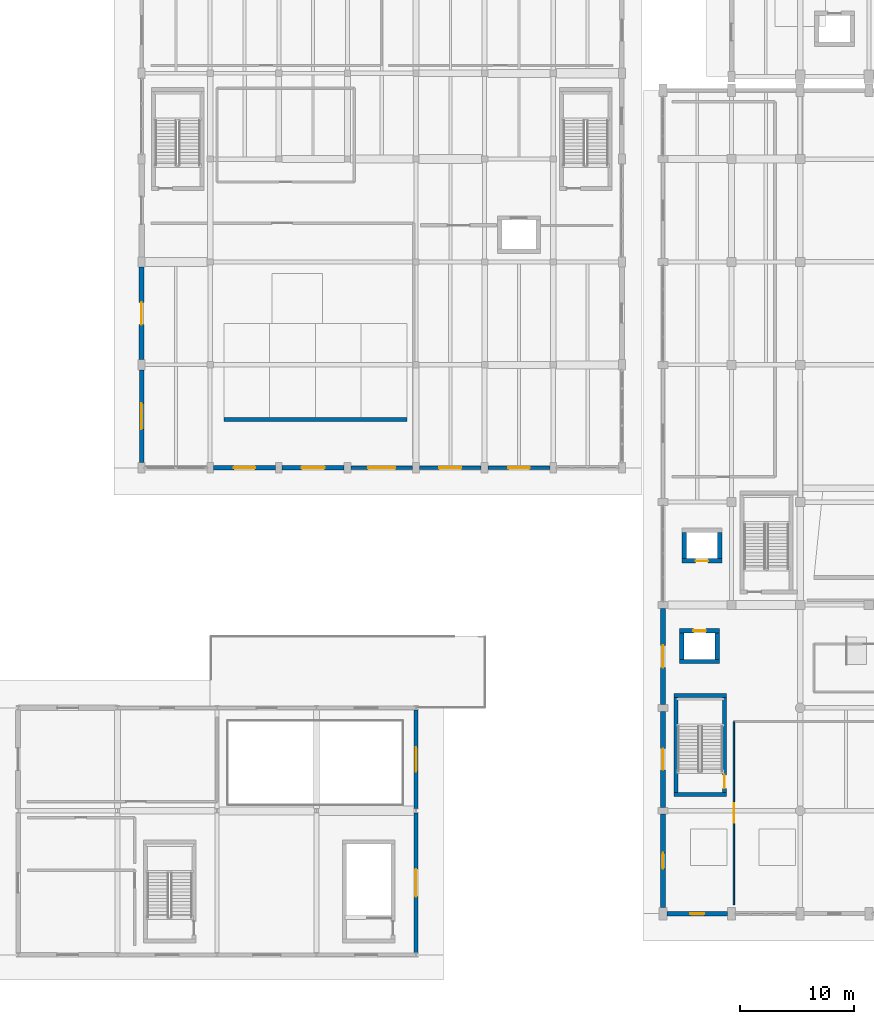
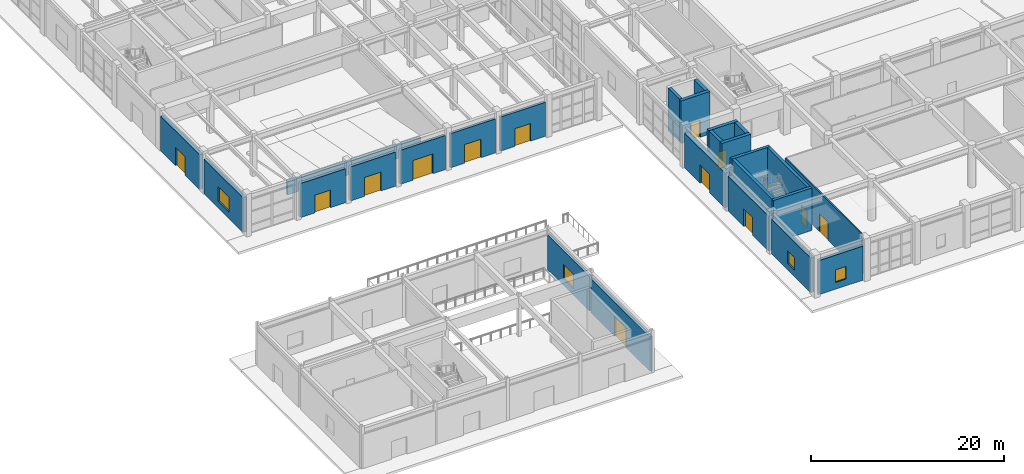
# One storey, part 69 of 91: 26 walls, 13 doors, 4 windows, 17 openings.
"""IFC4 building model written with IfcOpenShell, lengths in metres."""

import ifcopenshell
import ifcopenshell.guid

model = None  # the IFC model being written
_history = None  # IfcOwnerHistory: only IFC2X3 demands one
_inside = {}  # id of a spatial element -> (the spatial element, [elements in it])
_under = {}  # id of a project, library or spatial element -> (it, [spatial elements below it])
_declared = {}  # id of a project -> (the project, [libraries it declares])
_typed = {}  # id of a type object -> (the type object, [elements of that type])
_made_of = {}  # id of a material, layer set ... -> (it, [elements and type objects made of it])


def new_model(schema):
    """Start an empty IFC model of exactly this schema.

    Asked for "IFC4X3", IfcOpenShell would pick the latest addendum, in which some entities
    have other attributes; the version numbers below select the first issue.
    IFC2X3 requires an IfcOwnerHistory on every rooted entity: one is made here for all.
    """
    global model, _history
    if schema == "IFC4X3":
        model = ifcopenshell.file(schema_version=(4, 3, 0, 0))
    else:
        model = ifcopenshell.file(schema=schema)
    _inside.clear()
    _under.clear()
    _declared.clear()
    _typed.clear()
    _made_of.clear()
    _history = None
    if model.schema == "IFC2X3":
        org = make("IfcOrganization", Name="unknown")
        user = make(
            "IfcPersonAndOrganization",
            ThePerson=make("IfcPerson", FamilyName="unknown"),
            TheOrganization=org,
        )
        app = make(
            "IfcApplication",
            ApplicationDeveloper=org,
            Version="unknown",
            ApplicationFullName="unknown",
            ApplicationIdentifier="unknown",
        )
        _history = make(
            "IfcOwnerHistory",
            OwningUser=user,
            OwningApplication=app,
            ChangeAction="ADDED",
            CreationDate=0,
        )
    return model


def make(cls, **values):
    """One entity of the class cls with the attributes given. An attribute that is None is left unset."""
    return model.create_entity(
        cls, **{name: value for name, value in values.items() if value is not None}
    )


def rooted(cls, **values):
    """An entity with a GlobalId (a new one), such as an element, a storey or a relation."""
    return make(cls, GlobalId=ifcopenshell.guid.new(), OwnerHistory=_history, **values)


def si_unit(unit_type, name, prefix=None):
    """IfcSIUnit, for example si_unit("LENGTHUNIT", "METRE", prefix="MILLI")."""
    return make("IfcSIUnit", UnitType=unit_type, Prefix=prefix, Name=name)


def assignment(units):
    """IfcUnitAssignment: the units of a project."""
    return None if units is None else make("IfcUnitAssignment", Units=units)


def point(xyz):
    """IfcCartesianPoint."""
    return None if xyz is None else make("IfcCartesianPoint", Coordinates=xyz)


def direction(xyz):
    """IfcDirection."""
    return None if xyz is None else make("IfcDirection", DirectionRatios=xyz)


def frame(location, z_axis=None, x_axis=None):
    """IfcAxis2Placement3D, a coordinate frame: its origin and axes. An axis left out is left unset."""
    return make(
        "IfcAxis2Placement3D",
        Location=point(location),
        Axis=direction(z_axis),
        RefDirection=direction(x_axis),
    )


def frame_2d(location, x_axis=None):
    """IfcAxis2Placement2D, a coordinate frame in the plane: its origin and x axis."""
    return make(
        "IfcAxis2Placement2D", Location=point(location), RefDirection=direction(x_axis)
    )


def origin():
    """The frame at (0, 0, 0) with its axes left unset."""
    return frame((0.0, 0.0, 0.0))


def place(relative_to, where):
    """IfcLocalPlacement: puts the frame where relative to a parent placement (None: the world)."""
    return make(
        "IfcLocalPlacement", PlacementRelTo=relative_to, RelativePlacement=where
    )


def context(
    kind, dimensions, precision=None, world=None, true_north=None, identifier=None
):
    """IfcGeometricRepresentationContext, for example the 3D "Model" context."""
    return make(
        "IfcGeometricRepresentationContext",
        ContextIdentifier=identifier,
        ContextType=kind,
        CoordinateSpaceDimension=dimensions,
        Precision=precision,
        WorldCoordinateSystem=world,
        TrueNorth=true_north,
    )


def subcontext(parent, identifier, kind, view, scale=None):
    """IfcGeometricRepresentationSubContext, for example "Body" below "Model"."""
    return make(
        "IfcGeometricRepresentationSubContext",
        ContextIdentifier=identifier,
        ContextType=kind,
        ParentContext=parent,
        TargetScale=scale,
        TargetView=view,
    )


def project(units=None, contexts=None):
    """IfcProject with its units and contexts."""
    return rooted(
        "IfcProject",
        Name="project",
        RepresentationContexts=contexts,
        UnitsInContext=assignment(units),
    )


def spatial(cls, under=None, at=None, **own):
    """A site, building, storey or space (cls), placed at a placement, below another one or the project."""
    s = rooted(cls, ObjectPlacement=at, **own)
    if under is not None:
        _under.setdefault(under.id(), (under, []))[1].append(s)
    return s


def profile(cls, at=None, kind="AREA", **sizes):
    """A parametric profile (cls). Its sizes go by their IFC names, for example OverallWidth=200.0."""
    return make(cls, ProfileType=kind, Position=at, **sizes)


def rectangle(**sizes):
    """IfcRectangleProfileDef."""
    return profile("IfcRectangleProfileDef", **sizes)


def extrude(swept, where, along, depth):
    """IfcExtrudedAreaSolid: the profile swept, set in the frame where, extruded along a direction by depth."""
    return make(
        "IfcExtrudedAreaSolid",
        SweptArea=swept,
        Position=where,
        ExtrudedDirection=direction(along),
        Depth=depth,
    )


def shape(context_of_items, identifier, shape_type, items):
    """IfcShapeRepresentation: the items that make up one representation, for example the "Body"."""
    return make(
        "IfcShapeRepresentation",
        ContextOfItems=context_of_items,
        RepresentationIdentifier=identifier,
        RepresentationType=shape_type,
        Items=items,
    )


def material(Name=None, Category=None):
    """IfcMaterial."""
    return make("IfcMaterial", Name=Name, Category=Category)


def layer(
    of_material, thickness, ventilated=None, Name=None, Category=None, Priority=None
):
    """IfcMaterialLayer: one layer of a wall or slab, of a material (None: an air gap)."""
    return make(
        "IfcMaterialLayer",
        Material=of_material,
        LayerThickness=thickness,
        IsVentilated=ventilated,
        Name=Name,
        Category=Category,
        Priority=Priority,
    )


def layer_set(layers, Name=None):
    """IfcMaterialLayerSet."""
    return make("IfcMaterialLayerSet", MaterialLayers=layers, LayerSetName=Name)


def made_of(thing, what):
    """Note that an element or type object is made of a material, layer set ...; save() writes the relation."""
    if what is not None:
        _made_of.setdefault(what.id(), (what, []))[1].append(thing)
    return thing


def type_object(cls, material=None, **own):
    """A type object (cls), such as IfcWallType, which elements share."""
    return made_of(rooted(cls, **own), material)


def element(
    cls,
    number,
    at=None,
    inside=None,
    cuts=None,
    type_object=None,
    material=None,
    context=None,
    identifier="Body",
    shape_type=None,
    held_by="IfcProductDefinitionShape",
    body=None,
    shapes=None,
    **own,
):
    """One element of the class cls, such as IfcWall. Its Tag is "e" and its number.

    at: its placement. inside: the storey or other place that contains it. cuts: it is an
    opening in that element (IfcRelVoidsElement). A single representation is given by context,
    identifier, shape_type and body (its items); several are given by shapes. held_by: the class
    of the entity that holds the representations. save() writes the other relations.
    """
    e = rooted(cls, Tag="e%d" % number, ObjectPlacement=at, **own)
    if body is not None:
        shapes = [shape(context, identifier, shape_type, body)]
    if shapes is not None:
        e.Representation = make(held_by, Representations=shapes)
    if inside is not None:
        _inside.setdefault(inside.id(), (inside, []))[1].append(e)
    if cuts is not None:
        rooted(
            "IfcRelVoidsElement", RelatingBuildingElement=cuts, RelatedOpeningElement=e
        )
    if type_object is not None:
        _typed.setdefault(type_object.id(), (type_object, []))[1].append(e)
    return made_of(e, material)


def fill(opening, filler):
    """IfcRelFillsElement: the door or window that sits in an opening."""
    return rooted(
        "IfcRelFillsElement",
        RelatingOpeningElement=opening,
        RelatedBuildingElement=filler,
    )


def aggregate(whole, parts):
    """IfcRelAggregates: a whole, such as a stair, and the parts it consists of."""
    return rooted("IfcRelAggregates", RelatingObject=whole, RelatedObjects=parts)


def save(model, path):
    """Write the relations noted so far, then the file.

    IfcRelAggregates (storeys below a building ...), IfcRelContainedInSpatialStructure (elements
    in a storey), IfcRelDefinesByType, IfcRelAssociatesMaterial and IfcRelDeclares: one each for
    every whole, place, type object, material and project.
    """
    for whole, parts in _under.values():
        aggregate(whole, parts)
    for where, things in _inside.values():
        rooted(
            "IfcRelContainedInSpatialStructure",
            RelatedElements=things,
            RelatingStructure=where,
        )
    for kind, things in _typed.values():
        rooted("IfcRelDefinesByType", RelatedObjects=things, RelatingType=kind)
    for what, things in _made_of.values():
        rooted("IfcRelAssociatesMaterial", RelatedObjects=things, RelatingMaterial=what)
    for by, libraries in _declared.values():
        rooted("IfcRelDeclares", RelatingContext=by, RelatedDefinitions=libraries)
    model.write(path)


model = new_model("IFC4")

# Units and contexts
model_context = context("Model", 3, precision=1e-05, world=origin(), true_north=direction((0.0, 1.0)))
body_context = subcontext(model_context, "Body", "Model", "MODEL_VIEW")
ifc_project = project(units=[si_unit("LENGTHUNIT", "METRE"), si_unit("AREAUNIT", "SQUARE_METRE"), si_unit("VOLUMEUNIT", "CUBIC_METRE"), si_unit("PLANEANGLEUNIT", "RADIAN"), si_unit("MASSUNIT", "GRAM", prefix="KILO")], contexts=[model_context])

# Site, building, storey
site_placement = place(None, origin())
site = spatial("IfcSite", under=ifc_project, at=site_placement, CompositionType="ELEMENT")
building_placement = place(site_placement, origin())
building = spatial("IfcBuilding", under=site, at=building_placement, Name="Vaelkrest Opera House", CompositionType="ELEMENT")
storey_placement = place(building_placement, origin())
storey = spatial("IfcBuildingStorey", under=building, at=storey_placement, Name="L00", CompositionType="ELEMENT", Elevation=0.0)

# Wall, opening, door
ifc_material_1 = material(Name="Douglas fir glulam GL28h", Category="wood")
ifc_layer_1 = layer(ifc_material_1, 0.294921875)
ifc_layer_set_1 = layer_set([ifc_layer_1], Name="Douglas fir glulam GL28h")
wall_type_1 = type_object("IfcWallType", Name="EW03", PredefinedType="STANDARD", material=ifc_layer_set_1)
wall_1_placement = place(storey_placement, frame((-39.89794921875, -16.800048828125, 0.0), z_axis=(0.0, 0.0, 1.0), x_axis=(-1.0, 0.0, 0.0)))
wall_1 = element("IfcWall", 1, at=wall_1_placement, inside=storey, type_object=wall_type_1, Name="Exterior facade wall EW-V3-L00-0143", PredefinedType="STANDARD", context=body_context, shape_type="SweptSolid", body=[
    extrude(rectangle(XDim=5.404052734375, YDim=0.294921875, at=frame_2d((2.7021484375, 0.0))), origin(), (0.0, 0.0, 1.0), 4.320068359375),
])
opening_1_placement = place(wall_1_placement, frame((1.777099609375, 0.0, 0.0)))
opening_1 = element("IfcOpeningElement", 2, at=opening_1_placement, cuts=wall_1, Name="Opening ED10", PredefinedType="OPENING", context=body_context, shape_type="SweptSolid", body=[
    extrude(rectangle(XDim=1.85009765625, YDim=2.25, at=frame_2d((0.925048828125, 1.125))), frame((0.0, 0.157470703125, 0.0), z_axis=(0.0, -1.0, 0.0), x_axis=(1.0, 0.0, 0.0)), (0.0, 0.0, 1.0), 0.31494140625),
])
ifc_material_2 = material(Name="Dark bronze anodized aluminium", Category="aluminium")
door_type_1 = type_object("IfcDoorType", Name="EDT02", OperationType="DOUBLE_DOOR_SINGLE_SWING", PredefinedType="DOOR", material=ifc_material_2)
door_1_placement = place(opening_1_placement, origin())
door_1 = element("IfcDoor", 3, at=door_1_placement, inside=storey, type_object=door_type_1, Name="Exterior exit door ED10", OperationType="DOUBLE_DOOR_SINGLE_SWING", OverallHeight=2.25, OverallWidth=1.85009765625, PredefinedType="DOOR", context=body_context, shape_type="SweptSolid", body=[
    extrude(rectangle(XDim=1.85009765625, YDim=2.25, at=frame_2d((0.925048828125, 1.125))), frame((0.0, 0.02490234375, 0.0), z_axis=(0.0, -1.0, 0.0), x_axis=(1.0, 0.0, 0.0)), (0.0, 0.0, 1.0), 0.050048828125),
])
fill(opening_1, door_1)

ifc_material_3 = material(Name="American black walnut acoustic timber", Category="wood")
ifc_layer_2 = layer(ifc_material_3, 0.31494140625)
ifc_layer_set_2 = layer_set([ifc_layer_2], Name="American black walnut acoustic timber")
wall_type_2 = type_object("IfcWallType", Name="EW04", PredefinedType="STANDARD", material=ifc_layer_set_2)
wall_2_placement = place(storey_placement, frame((-45.89794921875, -16.800048828125, 0.0), z_axis=(0.0, 0.0, 1.0), x_axis=(-1.0, 0.0, 0.0)))
wall_2 = element("IfcWall", 4, at=wall_2_placement, inside=storey, type_object=wall_type_2, Name="Exterior facade wall EW-V3-L00-0144", PredefinedType="STANDARD", context=body_context, shape_type="SweptSolid", body=[
    extrude(rectangle(XDim=5.404052734375, YDim=0.31494140625, at=frame_2d((2.7021484375, 0.0))), origin(), (0.0, 0.0, 1.0), 4.320068359375),
])
opening_2_placement = place(wall_2_placement, frame((1.72705078125, 0.0, 0.0)))
opening_2 = element("IfcOpeningElement", 5, at=opening_2_placement, cuts=wall_2, Name="Opening ED11", PredefinedType="OPENING", context=body_context, shape_type="SweptSolid", body=[
    extrude(rectangle(XDim=1.949951171875, YDim=2.35009765625, at=frame_2d((0.97509765625, 1.175048828125))), frame((0.0, 0.16748046875, 0.0), z_axis=(0.0, -1.0, 0.0), x_axis=(1.0, 0.0, 0.0)), (0.0, 0.0, 1.0), 0.3349609375),
])
door_type_2 = type_object("IfcDoorType", Name="EDT07", OperationType="DOUBLE_DOOR_SINGLE_SWING", PredefinedType="DOOR", material=ifc_material_2)
door_2_placement = place(opening_2_placement, origin())
door_2 = element("IfcDoor", 6, at=door_2_placement, inside=storey, type_object=door_type_2, Name="Exterior exit door ED11", OperationType="DOUBLE_DOOR_SINGLE_SWING", OverallHeight=2.35009765625, OverallWidth=1.949951171875, PredefinedType="DOOR", context=body_context, shape_type="SweptSolid", body=[
    extrude(rectangle(XDim=1.949951171875, YDim=2.35009765625, at=frame_2d((0.97509765625, 1.175048828125))), frame((0.0, 0.02490234375, 0.0), z_axis=(0.0, -1.0, 0.0), x_axis=(1.0, 0.0, 0.0)), (0.0, 0.0, 1.0), 0.050048828125),
])
fill(opening_2, door_2)

# Wall, opening, window
wall_3_placement = place(storey_placement, frame((-51.60009765625, -37.97998046875, 0.0), z_axis=(0.0, 0.0, 1.0), x_axis=(0.0, -1.0, 0.0)))
wall_3 = element("IfcWall", 7, at=wall_3_placement, inside=storey, type_object=wall_type_2, Name="Exterior facade wall EW-V5-L00-0314", PredefinedType="STANDARD", context=body_context, shape_type="SweptSolid", body=[
    extrude(rectangle(XDim=8.64013671875, YDim=0.31494140625, at=frame_2d((4.320068359375, 0.0))), origin(), (0.0, 0.0, 1.0), 4.404052734375),
])
opening_3_placement = place(wall_3_placement, frame((3.2451171875, 0.0, 0.85009765625)))
opening_3 = element("IfcOpeningElement", 8, at=opening_3_placement, cuts=wall_3, Name="Opening WN190", PredefinedType="OPENING", context=body_context, shape_type="SweptSolid", body=[
    extrude(rectangle(XDim=2.14990234375, YDim=1.85009765625, at=frame_2d((1.074951171875, 0.925048828125))), frame((0.0, 0.16748046875, 0.0), z_axis=(0.0, -1.0, 0.0), x_axis=(1.0, 0.0, 0.0)), (0.0, 0.0, 1.0), 0.3349609375),
])
ifc_material_4 = material(Name="Double low-E insulated glazing", Category="glass")
window_type_1 = type_object("IfcWindowType", Name="WT08", PartitioningType="SINGLE_PANEL", PredefinedType="WINDOW", material=ifc_material_4)
window_1_placement = place(opening_3_placement, origin())
window_1 = element("IfcWindow", 9, at=window_1_placement, inside=storey, type_object=window_type_1, Name="Facade window WN190", OverallHeight=1.85009765625, OverallWidth=2.14990234375, PartitioningType="SINGLE_PANEL", PredefinedType="WINDOW", context=body_context, shape_type="SweptSolid", body=[
    extrude(rectangle(XDim=2.14990234375, YDim=1.85009765625, at=frame_2d((1.074951171875, 0.925048828125))), frame((0.0, 0.030029296875, 0.0), z_axis=(0.0, -1.0, 0.0), x_axis=(1.0, 0.0, 0.0)), (0.0, 0.0, 1.0), 0.06005859375),
])
fill(opening_3, window_1)

# Wall, opening, door
ifc_layer_3 = layer(ifc_material_3, 0.3349609375)
ifc_layer_set_3 = layer_set([ifc_layer_3], Name="American black walnut acoustic timber")
wall_type_3 = type_object("IfcWallType", Name="EW05", PredefinedType="STANDARD", material=ifc_layer_set_3)
wall_4_placement = place(storey_placement, frame((-51.89794921875, -16.800048828125, 0.0), z_axis=(0.0, 0.0, 1.0), x_axis=(-1.0, 0.0, 0.0)))
wall_4 = element("IfcWall", 10, at=wall_4_placement, inside=storey, type_object=wall_type_3, Name="Exterior facade wall EW-V3-L00-0145", PredefinedType="STANDARD", context=body_context, shape_type="SweptSolid", body=[
    extrude(rectangle(XDim=5.404052734375, YDim=0.3349609375, at=frame_2d((2.7021484375, 0.0))), origin(), (0.0, 0.0, 1.0), 4.320068359375),
])
opening_4_placement = place(wall_4_placement, frame((1.501953125, 0.0, 0.0)))
opening_4 = element("IfcOpeningElement", 11, at=opening_4_placement, cuts=wall_4, Name="Opening ED12", PredefinedType="OPENING", context=body_context, shape_type="SweptSolid", body=[
    extrude(rectangle(XDim=2.39990234375, YDim=2.5, at=frame_2d((1.199951171875, 1.25))), frame((0.0, 0.177490234375, 0.0), z_axis=(0.0, -1.0, 0.0), x_axis=(1.0, 0.0, 0.0)), (0.0, 0.0, 1.0), 0.35498046875),
])
door_type_3 = type_object("IfcDoorType", Name="EDT08", OperationType="DOUBLE_DOOR_SINGLE_SWING", PredefinedType="DOOR", material=ifc_material_2)
door_3_placement = place(opening_4_placement, origin())
door_3 = element("IfcDoor", 12, at=door_3_placement, inside=storey, type_object=door_type_3, Name="Exterior exit door ED12", OperationType="DOUBLE_DOOR_SINGLE_SWING", OverallHeight=2.5, OverallWidth=2.39990234375, PredefinedType="DOOR", context=body_context, shape_type="SweptSolid", body=[
    extrude(rectangle(XDim=2.39990234375, YDim=2.5, at=frame_2d((1.199951171875, 1.25))), frame((0.0, 0.02490234375, 0.0), z_axis=(0.0, -1.0, 0.0), x_axis=(1.0, 0.0, 0.0)), (0.0, 0.0, 1.0), 0.050048828125),
])
fill(opening_4, door_3)

wall_5_placement = place(storey_placement, frame((-51.60009765625, -46.97998046875, 0.0), z_axis=(0.0, 0.0, 1.0), x_axis=(0.0, -1.0, 0.0)))
wall_5 = element("IfcWall", 13, at=wall_5_placement, inside=storey, type_object=wall_type_3, Name="Exterior facade wall EW-V5-L00-0315", PredefinedType="STANDARD", context=body_context, shape_type="SweptSolid", body=[
    extrude(rectangle(XDim=12.239990234375, YDim=0.3349609375, at=frame_2d((6.1201171875, 0.0))), origin(), (0.0, 0.0, 1.0), 4.320068359375),
])
opening_5_placement = place(wall_5_placement, frame((4.919921875, 0.0, 0.0)))
opening_5 = element("IfcOpeningElement", 14, at=opening_5_placement, cuts=wall_5, Name="Opening ED32", PredefinedType="OPENING", context=body_context, shape_type="SweptSolid", body=[
    extrude(rectangle(XDim=2.39990234375, YDim=2.5, at=frame_2d((1.199951171875, 1.25))), frame((0.0, 0.177490234375, 0.0), z_axis=(0.0, -1.0, 0.0), x_axis=(1.0, 0.0, 0.0)), (0.0, 0.0, 1.0), 0.35498046875),
])
door_4_placement = place(opening_5_placement, origin())
door_4 = element("IfcDoor", 15, at=door_4_placement, inside=storey, type_object=door_type_3, Name="Exterior exit door ED32", OperationType="DOUBLE_DOOR_SINGLE_SWING", OverallHeight=2.5, OverallWidth=2.39990234375, PredefinedType="DOOR", context=body_context, shape_type="SweptSolid", body=[
    extrude(rectangle(XDim=2.39990234375, YDim=2.5, at=frame_2d((1.199951171875, 1.25))), frame((0.0, 0.02490234375, 0.0), z_axis=(0.0, -1.0, 0.0), x_axis=(1.0, 0.0, 0.0)), (0.0, 0.0, 1.0), 0.050048828125),
])
fill(opening_5, door_4)

ifc_layer_4 = layer(ifc_material_3, 0.360107421875)
ifc_layer_set_4 = layer_set([ifc_layer_4], Name="American black walnut acoustic timber")
wall_type_4 = type_object("IfcWallType", Name="EW06", PredefinedType="STANDARD", material=ifc_layer_set_4)
wall_6_placement = place(storey_placement, frame((-57.89794921875, -16.800048828125, 0.0), z_axis=(0.0, 0.0, 1.0), x_axis=(-1.0, 0.0, 0.0)))
wall_6 = element("IfcWall", 16, at=wall_6_placement, inside=storey, type_object=wall_type_4, Name="Exterior facade wall EW-V3-L00-0146", PredefinedType="STANDARD", context=body_context, shape_type="SweptSolid", body=[
    extrude(rectangle(XDim=5.404052734375, YDim=0.360107421875, at=frame_2d((2.7021484375, 0.0))), origin(), (0.0, 0.0, 1.0), 4.320068359375),
])
opening_6_placement = place(wall_6_placement, frame((1.701904296875, 0.0, 0.0)))
opening_6 = element("IfcOpeningElement", 17, at=opening_6_placement, cuts=wall_6, Name="Opening ED13", PredefinedType="OPENING", context=body_context, shape_type="SweptSolid", body=[
    extrude(rectangle(XDim=2.0, YDim=2.39990234375, at=frame_2d((1.0, 1.199951171875))), frame((0.0, 0.18994140625, 0.0), z_axis=(0.0, -1.0, 0.0), x_axis=(1.0, 0.0, 0.0)), (0.0, 0.0, 1.0), 0.380126953125),
])
door_type_4 = type_object("IfcDoorType", Name="EDT01", OperationType="DOUBLE_DOOR_SINGLE_SWING", PredefinedType="DOOR", material=ifc_material_2)
door_5_placement = place(opening_6_placement, origin())
door_5 = element("IfcDoor", 18, at=door_5_placement, inside=storey, type_object=door_type_4, Name="Exterior exit door ED13", OperationType="DOUBLE_DOOR_SINGLE_SWING", OverallHeight=2.39990234375, OverallWidth=2.0, PredefinedType="DOOR", context=body_context, shape_type="SweptSolid", body=[
    extrude(rectangle(XDim=2.0, YDim=2.39990234375, at=frame_2d((1.0, 1.199951171875))), frame((0.0, 0.02490234375, 0.0), z_axis=(0.0, -1.0, 0.0), x_axis=(1.0, 0.0, 0.0)), (0.0, 0.0, 1.0), 0.050048828125),
])
fill(opening_6, door_5)

# Wall, opening, window
ifc_material_5 = material(Name="Concrete C40/50", Category="concrete")
ifc_layer_5 = layer(ifc_material_5, 0.385009765625)
ifc_layer_set_5 = layer_set([ifc_layer_5], Name="Concrete C40/50")
wall_type_5 = type_object("IfcWallType", Name="EW07", PredefinedType="STANDARD", material=ifc_layer_set_5)
wall_7_placement = place(storey_placement, frame((-24.347900390625, -55.800048828125, 0.0), z_axis=(0.0, 0.0, 1.0), x_axis=(-1.0, 0.0, 0.0)))
wall_7 = element("IfcWall", 19, at=wall_7_placement, inside=storey, type_object=wall_type_5, Name="Exterior facade wall EW-V1-L00-0007", PredefinedType="STANDARD", context=body_context, shape_type="SweptSolid", body=[
    extrude(rectangle(XDim=5.30419921875, YDim=0.385009765625, at=frame_2d((2.652099609375, 0.0))), origin(), (0.0, 0.0, 1.0), 4.320068359375),
])
opening_7_placement = place(wall_7_placement, frame((2.027099609375, 0.0, 0.85009765625)))
opening_7 = element("IfcOpeningElement", 20, at=opening_7_placement, cuts=wall_7, Name="Opening WN002", PredefinedType="OPENING", context=body_context, shape_type="SweptSolid", body=[
    extrude(rectangle(XDim=1.25, YDim=1.60009765625, at=frame_2d((0.625, 0.800048828125))), frame((0.0, 0.202392578125, 0.0), z_axis=(0.0, -1.0, 0.0), x_axis=(1.0, 0.0, 0.0)), (0.0, 0.0, 1.0), 0.405029296875),
])
window_type_2 = type_object("IfcWindowType", Name="WT02", PartitioningType="SINGLE_PANEL", PredefinedType="WINDOW", material=ifc_material_4)
window_2_placement = place(opening_7_placement, origin())
window_2 = element("IfcWindow", 21, at=window_2_placement, inside=storey, type_object=window_type_2, Name="Facade window WN002", OverallHeight=1.60009765625, OverallWidth=1.25, PartitioningType="SINGLE_PANEL", PredefinedType="WINDOW", context=body_context, shape_type="SweptSolid", body=[
    extrude(rectangle(XDim=1.25, YDim=1.60009765625, at=frame_2d((0.625, 0.800048828125))), frame((0.0, 0.030029296875, 0.0), z_axis=(0.0, -1.0, 0.0), x_axis=(1.0, 0.0, 0.0)), (0.0, 0.0, 1.0), 0.06005859375),
])
fill(opening_7, window_2)

# Wall, opening, door
wall_8_placement = place(storey_placement, frame((-63.89794921875, -16.800048828125, 0.0), z_axis=(0.0, 0.0, 1.0), x_axis=(-1.0, 0.0, 0.0)))
wall_8 = element("IfcWall", 22, at=wall_8_placement, inside=storey, type_object=wall_type_5, Name="Exterior facade wall EW-V3-L00-0147", PredefinedType="STANDARD", context=body_context, shape_type="SweptSolid", body=[
    extrude(rectangle(XDim=5.404052734375, YDim=0.385009765625, at=frame_2d((2.7021484375, 0.0))), origin(), (0.0, 0.0, 1.0), 4.320068359375),
])
opening_8_placement = place(wall_8_placement, frame((1.777099609375, 0.0, 0.0)))
opening_8 = element("IfcOpeningElement", 23, at=opening_8_placement, cuts=wall_8, Name="Opening ED14", PredefinedType="OPENING", context=body_context, shape_type="SweptSolid", body=[
    extrude(rectangle(XDim=1.85009765625, YDim=2.25, at=frame_2d((0.925048828125, 1.125))), frame((0.0, 0.202392578125, 0.0), z_axis=(0.0, -1.0, 0.0), x_axis=(1.0, 0.0, 0.0)), (0.0, 0.0, 1.0), 0.405029296875),
])
door_6_placement = place(opening_8_placement, origin())
door_6 = element("IfcDoor", 24, at=door_6_placement, inside=storey, type_object=door_type_1, Name="Exterior exit door ED14", OperationType="DOUBLE_DOOR_SINGLE_SWING", OverallHeight=2.25, OverallWidth=1.85009765625, PredefinedType="DOOR", context=body_context, shape_type="SweptSolid", body=[
    extrude(rectangle(XDim=1.85009765625, YDim=2.25, at=frame_2d((0.925048828125, 1.125))), frame((0.0, 0.02490234375, 0.0), z_axis=(0.0, -1.0, 0.0), x_axis=(1.0, 0.0, 0.0)), (0.0, 0.0, 1.0), 0.050048828125),
])
fill(opening_8, door_6)

# Wall, opening, window
ifc_layer_6 = layer(ifc_material_5, 0.409912109375)
ifc_layer_set_6 = layer_set([ifc_layer_6], Name="Concrete C40/50")
wall_type_6 = type_object("IfcWallType", Name="EW08", PredefinedType="STANDARD", material=ifc_layer_set_6)
wall_9_placement = place(storey_placement, frame((-30.0, -55.251953125, 0.0), z_axis=(0.0, 0.0, 1.0), x_axis=(0.0, 1.0, 0.0)))
wall_9 = element("IfcWall", 25, at=wall_9_placement, inside=storey, type_object=wall_type_6, Name="Exterior facade wall EW-V1-L00-0008", PredefinedType="STANDARD", context=body_context, shape_type="SweptSolid", body=[
    extrude(rectangle(XDim=8.154052734375, YDim=0.409912109375, at=frame_2d((4.0771484375, 0.0))), origin(), (0.0, 0.0, 1.0), 4.404052734375),
])
opening_9_placement = place(wall_9_placement, frame((3.376953125, 0.0, 0.85009765625)))
opening_9 = element("IfcOpeningElement", 26, at=opening_9_placement, cuts=wall_9, Name="Opening WN003", PredefinedType="OPENING", context=body_context, shape_type="SweptSolid", body=[
    extrude(rectangle(XDim=1.39990234375, YDim=1.60009765625, at=frame_2d((0.699951171875, 0.800048828125))), frame((0.0, 0.21484375, 0.0), z_axis=(0.0, -1.0, 0.0), x_axis=(1.0, 0.0, 0.0)), (0.0, 0.0, 1.0), 0.429931640625),
])
window_type_3 = type_object("IfcWindowType", Name="WT03", PartitioningType="SINGLE_PANEL", PredefinedType="WINDOW", material=ifc_material_4)
window_3_placement = place(opening_9_placement, origin())
window_3 = element("IfcWindow", 27, at=window_3_placement, inside=storey, type_object=window_type_3, Name="Facade window WN003", OverallHeight=1.60009765625, OverallWidth=1.39990234375, PartitioningType="SINGLE_PANEL", PredefinedType="WINDOW", context=body_context, shape_type="SweptSolid", body=[
    extrude(rectangle(XDim=1.39990234375, YDim=1.60009765625, at=frame_2d((0.699951171875, 0.800048828125))), frame((0.0, 0.030029296875, 0.0), z_axis=(0.0, -1.0, 0.0), x_axis=(1.0, 0.0, 0.0)), (0.0, 0.0, 1.0), 0.06005859375),
])
fill(opening_9, window_3)

wall_10_placement = place(storey_placement, frame((-75.60009765625, -16.35205078125, 0.0), z_axis=(0.0, 0.0, 1.0), x_axis=(0.0, 1.0, 0.0)))
wall_10 = element("IfcWall", 28, at=wall_10_placement, inside=storey, type_object=wall_type_6, Name="Exterior facade wall EW-V3-L00-0148", PredefinedType="STANDARD", context=body_context, shape_type="SweptSolid", body=[
    extrude(rectangle(XDim=8.10400390625, YDim=0.409912109375, at=frame_2d((4.052001953125, 0.0))), origin(), (0.0, 0.0, 1.0), 4.404052734375),
])
opening_10_placement = place(wall_10_placement, frame((2.902099609375, 0.0, 0.85009765625)))
opening_10 = element("IfcOpeningElement", 29, at=opening_10_placement, cuts=wall_10, Name="Opening WN061", PredefinedType="OPENING", context=body_context, shape_type="SweptSolid", body=[
    extrude(rectangle(XDim=2.300048828125, YDim=1.85009765625, at=frame_2d((1.14990234375, 0.925048828125))), frame((0.0, 0.21484375, 0.0), z_axis=(0.0, -1.0, 0.0), x_axis=(1.0, 0.0, 0.0)), (0.0, 0.0, 1.0), 0.429931640625),
])
window_type_4 = type_object("IfcWindowType", Name="WT09", PartitioningType="SINGLE_PANEL", PredefinedType="WINDOW", material=ifc_material_4)
window_4_placement = place(opening_10_placement, origin())
window_4 = element("IfcWindow", 30, at=window_4_placement, inside=storey, type_object=window_type_4, Name="Facade window WN061", OverallHeight=1.85009765625, OverallWidth=2.300048828125, PartitioningType="SINGLE_PANEL", PredefinedType="WINDOW", context=body_context, shape_type="SweptSolid", body=[
    extrude(rectangle(XDim=2.300048828125, YDim=1.85009765625, at=frame_2d((1.14990234375, 0.925048828125))), frame((0.0, 0.030029296875, 0.0), z_axis=(0.0, -1.0, 0.0), x_axis=(1.0, 0.0, 0.0)), (0.0, 0.0, 1.0), 0.06005859375),
])
fill(opening_10, window_4)

# Wall, opening, door
ifc_layer_7 = layer(ifc_material_5, 0.43505859375)
ifc_layer_set_7 = layer_set([ifc_layer_7], Name="Concrete C40/50")
wall_type_7 = type_object("IfcWallType", Name="EW09", PredefinedType="STANDARD", material=ifc_layer_set_7)
wall_11_placement = place(storey_placement, frame((-30.0, -46.501953125, 0.0), z_axis=(0.0, 0.0, 1.0), x_axis=(0.0, 1.0, 0.0)))
wall_11 = element("IfcWall", 31, at=wall_11_placement, inside=storey, type_object=wall_type_7, Name="Exterior facade wall EW-V1-L00-0009", PredefinedType="STANDARD", context=body_context, shape_type="SweptSolid", body=[
    extrude(rectangle(XDim=8.404052734375, YDim=0.43505859375, at=frame_2d((4.2021484375, 0.0))), origin(), (0.0, 0.0, 1.0), 4.404052734375),
])
opening_11_placement = place(wall_11_placement, frame((3.277099609375, 0.0, 0.0)))
opening_11 = element("IfcOpeningElement", 32, at=opening_11_placement, cuts=wall_11, Name="Opening ED06", PredefinedType="OPENING", context=body_context, shape_type="SweptSolid", body=[
    extrude(rectangle(XDim=1.85009765625, YDim=2.25, at=frame_2d((0.925048828125, 1.125))), frame((0.0, 0.2275390625, 0.0), z_axis=(0.0, -1.0, 0.0), x_axis=(1.0, 0.0, 0.0)), (0.0, 0.0, 1.0), 0.455078125),
])
door_7_placement = place(opening_11_placement, origin())
door_7 = element("IfcDoor", 33, at=door_7_placement, inside=storey, type_object=door_type_1, Name="Exterior exit door ED06", OperationType="DOUBLE_DOOR_SINGLE_SWING", OverallHeight=2.25, OverallWidth=1.85009765625, PredefinedType="DOOR", context=body_context, shape_type="SweptSolid", body=[
    extrude(rectangle(XDim=1.85009765625, YDim=2.25, at=frame_2d((0.925048828125, 1.125))), frame((0.0, 0.02490234375, 0.0), z_axis=(0.0, -1.0, 0.0), x_axis=(1.0, 0.0, 0.0)), (0.0, 0.0, 1.0), 0.050048828125),
])
fill(opening_11, door_7)

wall_12_placement = place(storey_placement, frame((-75.60009765625, -7.35205078125, 0.0), z_axis=(0.0, 0.0, 1.0), x_axis=(0.0, 1.0, 0.0)))
wall_12 = element("IfcWall", 34, at=wall_12_placement, inside=storey, type_object=wall_type_7, Name="Exterior facade wall EW-V3-L00-0149", PredefinedType="STANDARD", context=body_context, shape_type="SweptSolid", body=[
    extrude(rectangle(XDim=8.10400390625, YDim=0.43505859375, at=frame_2d((4.052001953125, 0.0))), origin(), (0.0, 0.0, 1.0), 4.404052734375),
])
opening_12_placement = place(wall_12_placement, frame((3.076904296875, 0.0, 0.0)))
opening_12 = element("IfcOpeningElement", 35, at=opening_12_placement, cuts=wall_12, Name="Opening ED15", PredefinedType="OPENING", context=body_context, shape_type="SweptSolid", body=[
    extrude(rectangle(XDim=1.949951171875, YDim=2.35009765625, at=frame_2d((0.97509765625, 1.175048828125))), frame((0.0, 0.2275390625, 0.0), z_axis=(0.0, -1.0, 0.0), x_axis=(1.0, 0.0, 0.0)), (0.0, 0.0, 1.0), 0.455078125),
])
door_8_placement = place(opening_12_placement, origin())
door_8 = element("IfcDoor", 36, at=door_8_placement, inside=storey, type_object=door_type_2, Name="Exterior exit door ED15", OperationType="DOUBLE_DOOR_SINGLE_SWING", OverallHeight=2.35009765625, OverallWidth=1.949951171875, PredefinedType="DOOR", context=body_context, shape_type="SweptSolid", body=[
    extrude(rectangle(XDim=1.949951171875, YDim=2.35009765625, at=frame_2d((0.97509765625, 1.175048828125))), frame((0.0, 0.02490234375, 0.0), z_axis=(0.0, -1.0, 0.0), x_axis=(1.0, 0.0, 0.0)), (0.0, 0.0, 1.0), 0.050048828125),
])
fill(opening_12, door_8)

ifc_layer_8 = layer(ifc_material_5, 0.465087890625)
ifc_layer_set_8 = layer_set([ifc_layer_8], Name="Concrete C40/50")
wall_type_8 = type_object("IfcWallType", Name="EW10", PredefinedType="STANDARD", material=ifc_layer_set_8)
wall_13_placement = place(storey_placement, frame((-30.0, -37.501953125, 0.0), z_axis=(0.0, 0.0, 1.0), x_axis=(0.0, 1.0, 0.0)))
wall_13 = element("IfcWall", 37, at=wall_13_placement, inside=storey, type_object=wall_type_8, Name="Exterior facade wall EW-V1-L00-0010", PredefinedType="STANDARD", context=body_context, shape_type="SweptSolid", body=[
    extrude(rectangle(XDim=8.404052734375, YDim=0.465087890625, at=frame_2d((4.2021484375, 0.0))), origin(), (0.0, 0.0, 1.0), 4.404052734375),
])
opening_13_placement = place(wall_13_placement, frame((3.22705078125, 0.0, 0.0)))
opening_13 = element("IfcOpeningElement", 38, at=opening_13_placement, cuts=wall_13, Name="Opening ED07", PredefinedType="OPENING", context=body_context, shape_type="SweptSolid", body=[
    extrude(rectangle(XDim=1.949951171875, YDim=2.35009765625, at=frame_2d((0.97509765625, 1.175048828125))), frame((0.0, 0.242431640625, 0.0), z_axis=(0.0, -1.0, 0.0), x_axis=(1.0, 0.0, 0.0)), (0.0, 0.0, 1.0), 0.485107421875),
])
door_9_placement = place(opening_13_placement, origin())
door_9 = element("IfcDoor", 39, at=door_9_placement, inside=storey, type_object=door_type_2, Name="Exterior exit door ED07", OperationType="DOUBLE_DOOR_SINGLE_SWING", OverallHeight=2.35009765625, OverallWidth=1.949951171875, PredefinedType="DOOR", context=body_context, shape_type="SweptSolid", body=[
    extrude(rectangle(XDim=1.949951171875, YDim=2.35009765625, at=frame_2d((0.97509765625, 1.175048828125))), frame((0.0, 0.02490234375, 0.0), z_axis=(0.0, -1.0, 0.0), x_axis=(1.0, 0.0, 0.0)), (0.0, 0.0, 1.0), 0.050048828125),
])
fill(opening_13, door_9)

ifc_material_6 = material(Name="Gypsum acoustic board", Category="gypsum")
ifc_layer_9 = layer(ifc_material_6, 0.14990234375)
ifc_layer_set_9 = layer_set([ifc_layer_9], Name="Gypsum acoustic board")
wall_type_9 = type_object("IfcWallType", Name="PT03", PredefinedType="PARTITIONING", material=ifc_layer_set_9)
wall_14_placement = place(storey_placement, frame((-23.800048828125, -55.0, 0.0), z_axis=(0.0, 0.0, 1.0), x_axis=(0.0, 1.0, 0.0)))
wall_14 = element("IfcWall", 40, at=wall_14_placement, inside=storey, type_object=wall_type_9, Name="Interior partition PT-V1-L00-0031", PredefinedType="PARTITIONING", context=body_context, shape_type="SweptSolid", body=[
    extrude(rectangle(XDim=16.0, YDim=0.14990234375, at=frame_2d((8.0, 0.0))), origin(), (0.0, 0.0, 1.0), 5.02001953125),
])
opening_14_placement = place(wall_14_placement, frame((7.14990234375, 0.0, 0.0)))
opening_14 = element("IfcOpeningElement", 41, at=opening_14_placement, cuts=wall_14, Name="Opening D012", PredefinedType="OPENING", context=body_context, shape_type="SweptSolid", body=[
    extrude(rectangle(XDim=1.699951171875, YDim=2.25, at=frame_2d((0.85009765625, 1.125))), frame((0.0, 0.0849609375, 0.0), z_axis=(0.0, -1.0, 0.0), x_axis=(1.0, 0.0, 0.0)), (0.0, 0.0, 1.0), 0.169921875),
])
door_type_5 = type_object("IfcDoorType", Name="DT14", OperationType="DOUBLE_DOOR_SINGLE_SWING", PredefinedType="DOOR", material=ifc_material_3)
door_10_placement = place(opening_14_placement, origin())
door_10 = element("IfcDoor", 42, at=door_10_placement, inside=storey, type_object=door_type_5, Name="Interior door D012 (Main Foyer)", OperationType="DOUBLE_DOOR_SINGLE_SWING", OverallHeight=2.25, OverallWidth=1.699951171875, PredefinedType="DOOR", context=body_context, shape_type="SweptSolid", body=[
    extrude(rectangle(XDim=1.699951171875, YDim=2.25, at=frame_2d((0.85009765625, 1.125))), frame((0.0, 0.02490234375, 0.0), z_axis=(0.0, -1.0, 0.0), x_axis=(1.0, 0.0, 0.0)), (0.0, 0.0, 1.0), 0.050048828125),
])
fill(opening_14, door_10)

# Walls
ifc_material_7 = material(Name="Concrete C50/60", Category="concrete")
ifc_layer_10 = layer(ifc_material_7, 0.35009765625)
ifc_layer_set_10 = layer_set([ifc_layer_10], Name="Concrete C50/60")
wall_type_10 = type_object("IfcWallType", Name="SW01", PredefinedType="SHEAR", material=ifc_layer_set_10)
wall_15_placement = place(storey_placement, frame((-68.39990234375, -12.60009765625, 0.0), z_axis=(0.0, 0.0, 1.0), x_axis=(1.0, 0.0, 0.0)))
element("IfcWall", 43, at=wall_15_placement, inside=storey, type_object=wall_type_10, Name="Studio seating tier riser wall L00", PredefinedType="SHEAR", context=body_context, shape_type="SweptSolid", body=[
    extrude(rectangle(XDim=16.0, YDim=0.35009765625, at=frame_2d((8.0, 0.0))), origin(), (0.0, 0.0, 1.0), 1.659912109375),
])
wall_16_placement = place(storey_placement, frame((-24.449951171875, -45.375, 0.0), z_axis=(0.0, 0.0, 1.0), x_axis=(-1.0, 0.0, 0.0)))
element("IfcWall", 44, at=wall_16_placement, inside=storey, type_object=wall_type_10, Name="Stair core ST03 wall L00 S", PredefinedType="SHEAR", context=body_context, shape_type="SweptSolid", body=[
    extrude(rectangle(XDim=4.60009765625, YDim=0.35009765625, at=frame_2d((2.300048828125, 0.0))), origin(), (0.0, 0.0, 1.0), 5.39990234375),
])
wall_17_placement = place(storey_placement, frame((-28.875, -45.199951171875, 0.0), z_axis=(0.0, 0.0, 1.0), x_axis=(0.0, 1.0, 0.0)))
element("IfcWall", 45, at=wall_17_placement, inside=storey, type_object=wall_type_10, Name="Stair core ST03 wall L00 W", PredefinedType="SHEAR", context=body_context, shape_type="SweptSolid", body=[
    extrude(rectangle(XDim=8.300048828125, YDim=0.35009765625, at=frame_2d((4.14990234375, 0.0))), origin(), (0.0, 0.0, 1.0), 5.39990234375),
])
wall_18_placement = place(storey_placement, frame((-29.050048828125, -36.72509765625, 0.0), z_axis=(0.0, 0.0, 1.0), x_axis=(1.0, 0.0, 0.0)))
element("IfcWall", 46, at=wall_18_placement, inside=storey, type_object=wall_type_10, Name="Stair core ST03 wall L00 N", PredefinedType="SHEAR", context=body_context, shape_type="SweptSolid", body=[
    extrude(rectangle(XDim=4.60009765625, YDim=0.35009765625, at=frame_2d((2.300048828125, 0.0))), origin(), (0.0, 0.0, 1.0), 5.39990234375),
])

# Wall, opening, door
wall_19_placement = place(storey_placement, frame((-24.625, -36.89990234375, 0.0), z_axis=(0.0, 0.0, 1.0), x_axis=(0.0, -1.0, 0.0)))
wall_19 = element("IfcWall", 47, at=wall_19_placement, inside=storey, type_object=wall_type_10, Name="Stair core ST03 wall L00 E", PredefinedType="SHEAR", context=body_context, shape_type="SweptSolid", body=[
    extrude(rectangle(XDim=8.300048828125, YDim=0.35009765625, at=frame_2d((4.14990234375, 0.0))), origin(), (0.0, 0.0, 1.0), 5.39990234375),
])
opening_15_placement = place(wall_19_placement, frame((6.77001953125, 0.0, 0.0)))
opening_15 = element("IfcOpeningElement", 48, at=opening_15_placement, cuts=wall_19, Name="Opening SD-ST03-L00", PredefinedType="OPENING", context=body_context, shape_type="SweptSolid", body=[
    extrude(rectangle(XDim=1.179931640625, YDim=2.14990234375, at=frame_2d((0.58984375, 1.074951171875))), frame((0.0, 0.18505859375, 0.0), z_axis=(0.0, -1.0, 0.0), x_axis=(1.0, 0.0, 0.0)), (0.0, 0.0, 1.0), 0.3701171875),
])
door_type_6 = type_object("IfcDoorType", Name="DT07", OperationType="NOTDEFINED", PredefinedType="DOOR", material=ifc_material_3)
door_11_placement = place(opening_15_placement, origin())
door_11 = element("IfcDoor", 49, at=door_11_placement, inside=storey, type_object=door_type_6, Name="Protected stair door SD-ST03-L00", OperationType="SINGLE_SWING_LEFT", OverallHeight=2.14990234375, OverallWidth=1.179931640625, PredefinedType="DOOR", context=body_context, shape_type="SweptSolid", body=[
    extrude(rectangle(XDim=1.179931640625, YDim=2.14990234375, at=frame_2d((0.58984375, 1.074951171875))), frame((0.0, 0.02490234375, 0.0), z_axis=(0.0, -1.0, 0.0), x_axis=(1.0, 0.0, 0.0)), (0.0, 0.0, 1.0), 0.050048828125),
])
fill(opening_15, door_11)

ifc_layer_11 = layer(ifc_material_7, 0.389892578125)
ifc_layer_set_11 = layer_set([ifc_layer_11], Name="Concrete C50/60")
wall_type_11 = type_object("IfcWallType", Name="SW02", PredefinedType="SHEAR", material=ifc_layer_set_11)
wall_20_placement = place(storey_placement, frame((-24.860107421875, -24.945068359375, 0.0), z_axis=(0.0, 0.0, 1.0), x_axis=(-1.0, 0.0, 0.0)))
wall_20 = element("IfcWall", 50, at=wall_20_placement, inside=storey, type_object=wall_type_11, Name="Lift shaft LP01 wall L00 S", PredefinedType="SHEAR", context=body_context, shape_type="SweptSolid", body=[
    extrude(rectangle(XDim=3.47998046875, YDim=0.389892578125, at=frame_2d((1.739990234375, 0.0))), origin(), (0.0, 0.0, 1.0), 5.39990234375),
])
opening_16_placement = place(wall_20_placement, frame((1.18994140625, 0.0, 0.0)))
opening_16 = element("IfcOpeningElement", 51, at=opening_16_placement, cuts=wall_20, Name="Opening LD-LP01-L00", PredefinedType="OPENING", context=body_context, shape_type="SweptSolid", body=[
    extrude(rectangle(XDim=1.10009765625, YDim=2.14990234375, at=frame_2d((0.550048828125, 1.074951171875))), frame((0.0, 0.204833984375, 0.0), z_axis=(0.0, -1.0, 0.0), x_axis=(1.0, 0.0, 0.0)), (0.0, 0.0, 1.0), 0.409912109375),
])
door_type_7 = type_object("IfcDoorType", Name="LDT01", OperationType="SLIDING_TO_LEFT", PredefinedType="DOOR", material=ifc_material_2)
door_12_placement = place(opening_16_placement, origin())
door_12 = element("IfcDoor", 52, at=door_12_placement, inside=storey, type_object=door_type_7, Name="Lift landing sliding door LD-LP01-L00", OperationType="SLIDING_TO_LEFT", OverallHeight=2.14990234375, OverallWidth=1.10009765625, PredefinedType="DOOR", context=body_context, shape_type="SweptSolid", body=[
    extrude(rectangle(XDim=1.10009765625, YDim=2.14990234375, at=frame_2d((0.550048828125, 1.074951171875))), frame((0.0, 0.02490234375, 0.0), z_axis=(0.0, -1.0, 0.0), x_axis=(1.0, 0.0, 0.0)), (0.0, 0.0, 1.0), 0.050048828125),
])
fill(opening_16, door_12)

# Walls
for number, where, z_axis, x_axis, name in (
    (53, (-28.14501953125, -24.75, 0.0), (0.0, 0.0, 1.0), (0.0, 1.0, 0.0), "Lift shaft LP01 wall L00 W"),
    (54, (-25.054931640625, -22.449951171875, 0.0), (0.0, 0.0, 1.0), (0.0, -1.0, 0.0), "Lift shaft LP01 wall L00 E"),
):
    element("IfcWall", number, at=place(storey_placement, frame(where, z_axis=z_axis, x_axis=x_axis)), inside=storey, type_object=wall_type_11, Name=name, PredefinedType="SHEAR", context=body_context, shape_type="SweptSolid", body=[
        extrude(rectangle(XDim=2.300048828125, YDim=0.389892578125, at=frame_2d((1.14990234375, 0.0))), origin(), (0.0, 0.0, 1.0), 5.39990234375),
    ])
wall_21_placement = place(storey_placement, frame((-25.06005859375, -33.7451171875, 0.0), z_axis=(0.0, 0.0, 1.0), x_axis=(-1.0, 0.0, 0.0)))
element("IfcWall", 55, at=wall_21_placement, inside=storey, type_object=wall_type_11, Name="Lift shaft LP03 wall L00 S", PredefinedType="SHEAR", context=body_context, shape_type="SweptSolid", body=[
    extrude(rectangle(XDim=3.47998046875, YDim=0.389892578125, at=frame_2d((1.739990234375, 0.0))), origin(), (0.0, 0.0, 1.0), 5.39990234375),
])

# Wall, opening, door
wall_22_placement = place(storey_placement, frame((-28.5400390625, -31.054931640625, 0.0), z_axis=(0.0, 0.0, 1.0), x_axis=(1.0, 0.0, 0.0)))
wall_22 = element("IfcWall", 56, at=wall_22_placement, inside=storey, type_object=wall_type_11, Name="Lift shaft LP03 wall L00 N", PredefinedType="SHEAR", context=body_context, shape_type="SweptSolid", body=[
    extrude(rectangle(XDim=3.47998046875, YDim=0.389892578125, at=frame_2d((1.739990234375, 0.0))), origin(), (0.0, 0.0, 1.0), 5.39990234375),
])
opening_17_placement = place(wall_22_placement, frame((1.18994140625, 0.0, 0.0)))
opening_17 = element("IfcOpeningElement", 57, at=opening_17_placement, cuts=wall_22, Name="Opening LD-LP03-L00", PredefinedType="OPENING", context=body_context, shape_type="SweptSolid", body=[
    extrude(rectangle(XDim=1.10009765625, YDim=2.14990234375, at=frame_2d((0.550048828125, 1.074951171875))), frame((0.0, 0.204833984375, 0.0), z_axis=(0.0, -1.0, 0.0), x_axis=(1.0, 0.0, 0.0)), (0.0, 0.0, 1.0), 0.409912109375),
])
door_13_placement = place(opening_17_placement, origin())
door_13 = element("IfcDoor", 58, at=door_13_placement, inside=storey, type_object=door_type_7, Name="Lift landing sliding door LD-LP03-L00", OperationType="SLIDING_TO_LEFT", OverallHeight=2.14990234375, OverallWidth=1.10009765625, PredefinedType="DOOR", context=body_context, shape_type="SweptSolid", body=[
    extrude(rectangle(XDim=1.10009765625, YDim=2.14990234375, at=frame_2d((0.550048828125, 1.074951171875))), frame((0.0, 0.02490234375, 0.0), z_axis=(0.0, -1.0, 0.0), x_axis=(1.0, 0.0, 0.0)), (0.0, 0.0, 1.0), 0.050048828125),
])
fill(opening_17, door_13)

# Walls
for number, where, z_axis, x_axis, name in (
    (59, (-28.344970703125, -33.550048828125, 0.0), (0.0, 0.0, 1.0), (0.0, 1.0, 0.0), "Lift shaft LP03 wall L00 W"),
    (60, (-25.2548828125, -31.25, 0.0), (0.0, 0.0, 1.0), (0.0, -1.0, 0.0), "Lift shaft LP03 wall L00 E"),
):
    element("IfcWall", number, at=place(storey_placement, frame(where, z_axis=z_axis, x_axis=x_axis)), inside=storey, type_object=wall_type_11, Name=name, PredefinedType="SHEAR", context=body_context, shape_type="SweptSolid", body=[
        extrude(rectangle(XDim=2.300048828125, YDim=0.389892578125, at=frame_2d((1.14990234375, 0.0))), origin(), (0.0, 0.0, 1.0), 5.39990234375),
    ])

save(model, "model.ifc")
